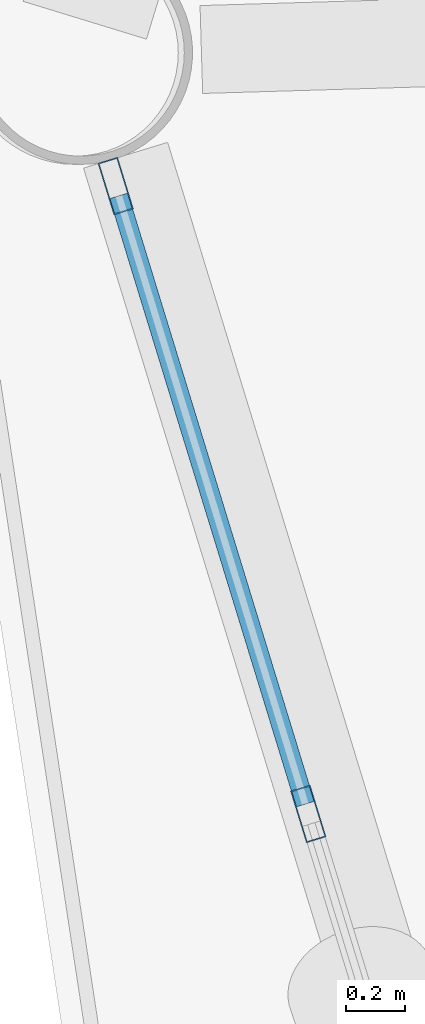
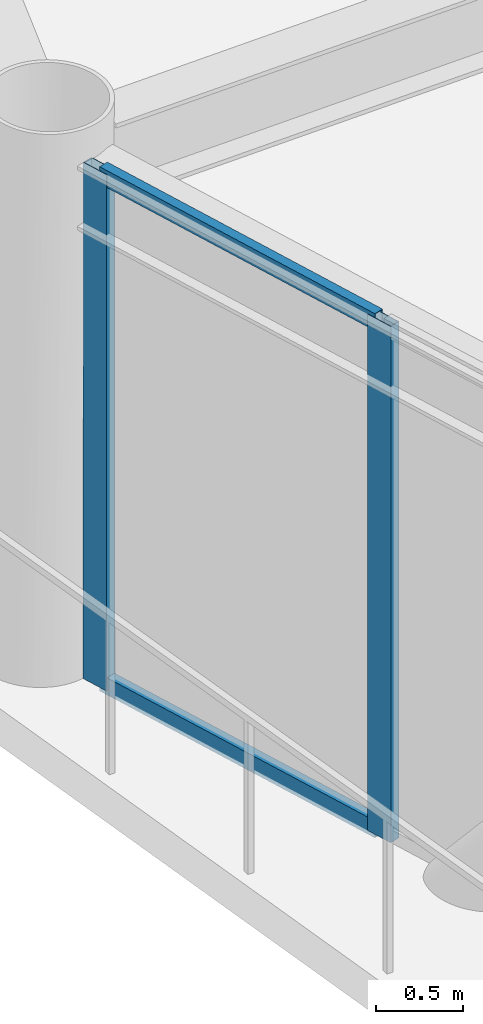
# One storey, part 9 of 26: 4 members, 1 element without a shape of its own.
"""IFC4 building model written with IfcOpenShell, lengths in metres."""

from ifc_helpers import new_model, si_unit, direction, frame, origin, origin_2d, place, context, subcontext, project, spatial, hollow_rectangle, extrude, material, layer, layer_set, material_profile, profile_set, type_object, element, aggregate, save


model = new_model("IFC4")

# Units and contexts
model_context = context("Model", 3, precision=1e-05, world=origin(), true_north=direction((0.0, 1.0)))
body_context = subcontext(model_context, "Body", "Model", "MODEL_VIEW")
ifc_project = project(units=[si_unit("LENGTHUNIT", "METRE"), si_unit("AREAUNIT", "SQUARE_METRE"), si_unit("VOLUMEUNIT", "CUBIC_METRE"), si_unit("PLANEANGLEUNIT", "RADIAN"), si_unit("MASSUNIT", "GRAM", prefix="KILO")], contexts=[model_context])

# Site, building, storey
site_placement = place(None, origin())
site = spatial("IfcSite", under=ifc_project, at=site_placement, CompositionType="ELEMENT")
building_placement = place(site_placement, origin())
building = spatial("IfcBuilding", under=site, at=building_placement, Name="Varnakorn Sky Granary", CompositionType="ELEMENT")
storey_placement = place(building_placement, frame((0.0, 0.0, 138.300048828125)))
storey = spatial("IfcBuildingStorey", under=building, at=storey_placement, Name="L34", CompositionType="ELEMENT", Elevation=138.300048828125)

# Curtain wall, members
ifc_material = material(Name="Anodised Bronze Aluminium Alloy 6063-T6", Category="aluminium")
ifc_layer = layer(ifc_material, 0.179931640625, Name="Anodised Bronze Aluminium Alloy 6063-T6")
ifc_layer_set = layer_set([ifc_layer], Name="Anodised Bronze Aluminium Alloy 6063-T6")
curtain_wall_type = type_object("IfcCurtainWallType", Name="CW-FRM-2", PredefinedType="USERDEFINED", material=ifc_layer_set)
curtain_wall_placement = place(storey_placement, origin())
curtain_wall = element("IfcCurtainWall", 1, at=curtain_wall_placement, inside=storey, type_object=curtain_wall_type, Name="Unitised Curtain Wall CW4 CW-L34-B07", ObjectType="CURTAIN WALL", PredefinedType="USERDEFINED")
ifc_material_profile_1 = material_profile(ifc_material, hollow_rectangle(XDim=0.070068359375, YDim=0.18505859375, WallThickness=0.00390625, at=origin_2d()), Name="ALU MULL 70x185")
ifc_profile_set_1 = profile_set([ifc_material_profile_1], Name="Anodised Bronze Aluminium Alloy 6063-T6")
member_type_1 = type_object("IfcMemberType", Name="CW-FRM-2-MULL", PredefinedType="MULLION", material=ifc_profile_set_1)
member_1_placement = place(storey_placement, frame((-21.686279296875, -2.597900390625, 0.0), z_axis=(0.0, 0.0, 1.0), x_axis=(-0.956053346181, -0.293192768083, 0.0)))
member_1 = element("IfcMember", 2, at=member_1_placement, type_object=member_type_1, Name="CW4 mullion 4", PredefinedType="MULLION", context=body_context, shape_type="SweptSolid", body=[
    extrude(hollow_rectangle(XDim=0.070068359375, YDim=0.18505859375, WallThickness=0.00390625, at=origin_2d()), origin(), (0.0, 0.0, 1.0), 3.639892578125),
])
member_2_placement = place(storey_placement, frame((-22.343505859375, -0.455078125, 0.0), z_axis=(0.0, 0.0, 1.0), x_axis=(-0.956053346181, -0.293192768083, 0.0)))
member_2 = element("IfcMember", 3, at=member_2_placement, type_object=member_type_1, Name="CW4 mullion 5", PredefinedType="MULLION", context=body_context, shape_type="SweptSolid", body=[
    extrude(hollow_rectangle(XDim=0.070068359375, YDim=0.18505859375, WallThickness=0.00390625, at=origin_2d()), origin(), (0.0, 0.0, 1.0), 3.639892578125),
])
ifc_material_profile_2 = material_profile(ifc_material, hollow_rectangle(XDim=0.06494140625, YDim=0.1201171875, WallThickness=0.00341796875, at=origin_2d()), Name="ALU TRAN 65x120")
ifc_profile_set_2 = profile_set([ifc_material_profile_2], Name="Anodised Bronze Aluminium Alloy 6063-T6")
member_type_2 = type_object("IfcMemberType", Name="CW-FRM-2-TRAN", PredefinedType="USERDEFINED", material=ifc_profile_set_2)
member_3_placement = place(storey_placement, frame((-21.696533203125, -2.564453125, 0.032470703125), z_axis=(-0.29323243546, 0.956041180491, 0.0), x_axis=(-0.956041180491, -0.29323243546, 0.0)))
member_3 = element("IfcMember", 4, at=member_3_placement, type_object=member_type_2, Name="CW4 transom 4.1", ObjectType="TRANSOM", PredefinedType="USERDEFINED", context=body_context, shape_type="SweptSolid", body=[
    extrude(hollow_rectangle(XDim=0.06494140625, YDim=0.1201171875, WallThickness=0.00341796875, at=origin_2d()), origin(), (0.0, 0.0, 1.0), 2.17138671875),
])
member_4_placement = place(storey_placement, frame((-21.696533203125, -2.564453125, 3.607421875), z_axis=(-0.29323243546, 0.956041180491, 0.0), x_axis=(-0.956041180491, -0.29323243546, 0.0)))
member_4 = element("IfcMember", 5, at=member_4_placement, type_object=member_type_2, Name="CW4 transom 4.2", ObjectType="TRANSOM", PredefinedType="USERDEFINED", context=body_context, shape_type="SweptSolid", body=[
    extrude(hollow_rectangle(XDim=0.06494140625, YDim=0.1201171875, WallThickness=0.00341796875, at=origin_2d()), origin(), (0.0, 0.0, 1.0), 2.17138671875),
])
aggregate(curtain_wall, [member_1, member_2, member_3, member_4])

save(model, "model.ifc")
